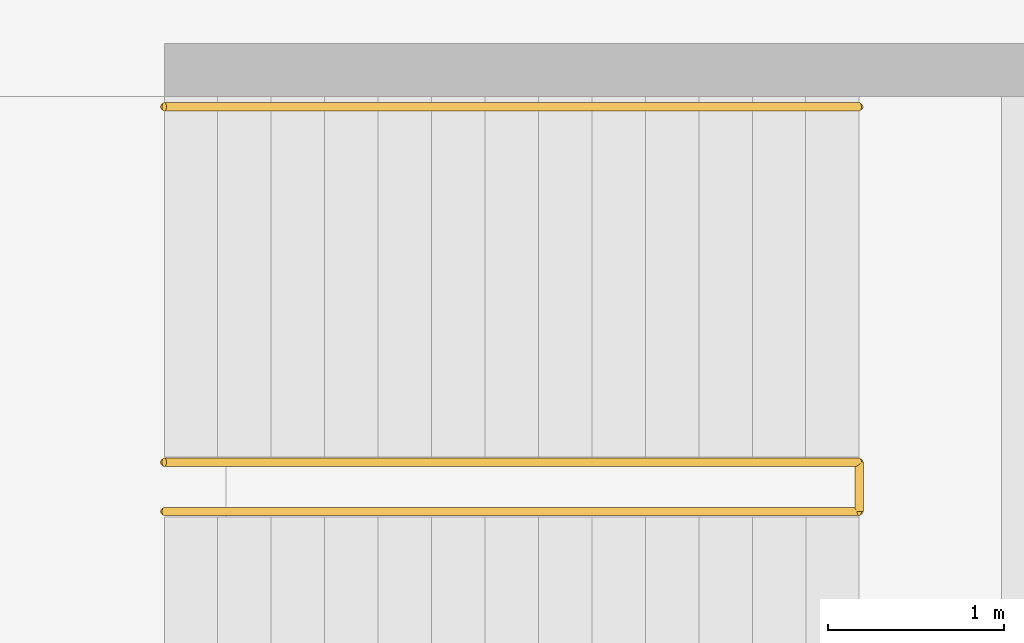
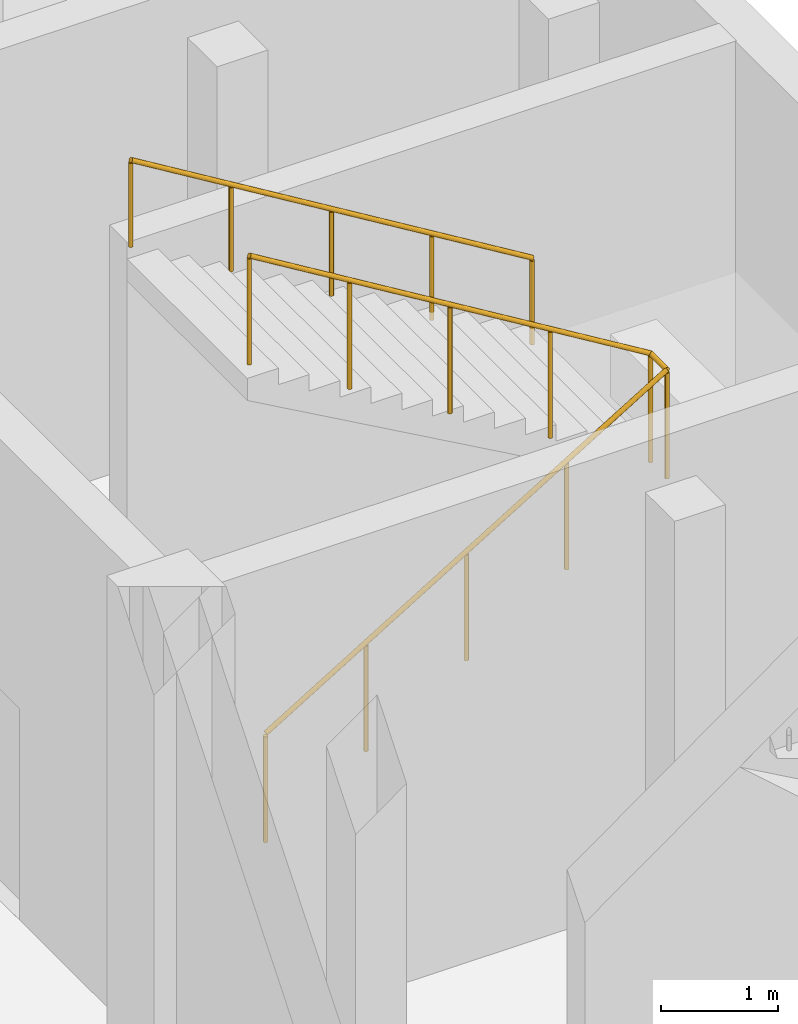
# One storey, part 41 of 42: 2 railings.
"""IFC4 building model written with IfcOpenShell, lengths in metres."""

from ifc_helpers import new_model, si_unit, direction, frame, origin, origin_2d, place, context, subcontext, project, spatial, circle, extrude, material, type_object, element, save


model = new_model("IFC4")

# Units and contexts
model_context = context("Model", 3, precision=1e-05, world=origin(), true_north=direction((0.0, 1.0)))
body_context = subcontext(model_context, "Body", "Model", "MODEL_VIEW")
ifc_project = project(units=[si_unit("LENGTHUNIT", "METRE"), si_unit("AREAUNIT", "SQUARE_METRE"), si_unit("VOLUMEUNIT", "CUBIC_METRE"), si_unit("PLANEANGLEUNIT", "RADIAN"), si_unit("MASSUNIT", "GRAM", prefix="KILO")], contexts=[model_context])

# Site, building, storey
site_placement = place(None, origin())
site = spatial("IfcSite", under=ifc_project, at=site_placement, CompositionType="ELEMENT")
building_placement = place(site_placement, origin())
building = spatial("IfcBuilding", under=site, at=building_placement, Name="Pellamere Symphony Hall", CompositionType="ELEMENT")
storey_placement = place(building_placement, frame((0.0, 0.0, -4.800048828125)))
storey = spatial("IfcBuildingStorey", under=building, at=storey_placement, Name="B1", CompositionType="ELEMENT", Elevation=-4.800048828125)

# Railings
ifc_material_1 = material(Name="Painted Steel CSA G40.21 350W", Category="steel")
railing_type_1 = type_object("IfcRailingType", Name="Guardrail GR-02 H1150 Painted", PredefinedType="GUARDRAIL", material=ifc_material_1)
railing_1_placement = place(storey_placement, frame((166.625, 79.639892578125, 0.0)))
element("IfcRailing", 1, at=railing_1_placement, inside=storey, type_object=railing_type_1, Name="Stair ST14-B1 Continuous Well Guardrail (B1)", PredefinedType="GUARDRAIL", context=body_context, shape_type="SweptSolid", body=[
    extrude(circle(Radius=0.02392578125, at=origin_2d()), frame((0.0, 0.0, 1.1259765625), z_axis=(0.854599162348, 0.0, 0.519288235679), x_axis=(0.0, 1.0, 0.0)), (0.0, 0.0, 1.0), 4.6220703125),
    extrude(circle(Radius=0.02392578125, at=origin_2d()), frame((3.949951171875, 0.0, 3.52587890625), z_axis=(0.0, 1.0, 0.0), x_axis=(-1.0, 0.0, 0.0)), (0.0, 0.0, 1.0), 0.280029296875),
    extrude(circle(Radius=0.02392578125, at=origin_2d()), frame((3.949951171875, 0.280029296875, 3.52587890625), z_axis=(-0.854622603422, 0.0, 0.519249656446), x_axis=(0.0, -1.0, 0.0)), (0.0, 0.0, 1.0), 4.621826171875),
    extrude(circle(Radius=0.02099609375, at=origin_2d()), origin(), (0.0, 0.0, 1.0), 1.101806640625),
    extrude(circle(Radius=0.02099609375, at=origin_2d()), frame((0.987548828125, 0.0, 0.60009765625)), (0.0, 0.0, 1.0), 1.101806640625),
    extrude(circle(Radius=0.02099609375, at=origin_2d()), frame((1.97509765625, 0.0, 1.2001953125)), (0.0, 0.0, 1.0), 1.101806640625),
    extrude(circle(Radius=0.02099609375, at=origin_2d()), frame((2.96240234375, 0.0, 1.800048828125)), (0.0, 0.0, 1.0), 1.101806640625),
    extrude(circle(Radius=0.02099609375, at=origin_2d()), frame((3.949951171875, 0.0, 2.400146484375)), (0.0, 0.0, 1.0), 1.101806640625),
    extrude(circle(Radius=0.02099609375, at=origin_2d()), frame((3.949951171875, 0.280029296875, 2.400146484375)), (0.0, 0.0, 1.0), 1.101806640625),
    extrude(circle(Radius=0.02099609375, at=origin_2d()), frame((2.96240234375, 0.280029296875, 3.0)), (0.0, 0.0, 1.0), 1.101806640625),
    extrude(circle(Radius=0.02099609375, at=origin_2d()), frame((1.97509765625, 0.280029296875, 3.60009765625)), (0.0, 0.0, 1.0), 1.101806640625),
    extrude(circle(Radius=0.02099609375, at=origin_2d()), frame((0.987548828125, 0.280029296875, 4.2001953125)), (0.0, 0.0, 1.0), 1.101806640625),
    extrude(circle(Radius=0.02099609375, at=origin_2d()), frame((0.0, 0.280029296875, 4.800048828125)), (0.0, 0.0, 1.0), 1.101806640625),
])
ifc_material_2 = material(Name="Stainless Steel AISI 316", Category="steel")
railing_type_2 = type_object("IfcRailingType", Name="Handrail HR-01 H920 Stainless", PredefinedType="HANDRAIL", material=ifc_material_2)
railing_2_placement = place(storey_placement, frame((170.574951171875, 81.93994140625, 2.400146484375)))
element("IfcRailing", 2, at=railing_2_placement, inside=storey, type_object=railing_type_2, Name="Stair ST14-B1 Upper Wall Handrail (B1)", PredefinedType="HANDRAIL", context=body_context, shape_type="SweptSolid", body=[
    extrude(circle(Radius=0.02392578125, at=origin_2d()), frame((0.0, 0.0, 0.89599609375), z_axis=(-0.854622603422, 0.0, 0.519249656446), x_axis=(0.0, -1.0, 0.0)), (0.0, 0.0, 1.0), 4.621826171875),
    extrude(circle(Radius=0.02099609375, at=origin_2d()), origin(), (0.0, 0.0, 1.0), 0.871826171875),
    extrude(circle(Radius=0.02099609375, at=origin_2d()), frame((-0.987548828125, 0.0, 0.60009765625)), (0.0, 0.0, 1.0), 0.871826171875),
    extrude(circle(Radius=0.02099609375, at=origin_2d()), frame((-1.97509765625, 0.0, 1.199951171875)), (0.0, 0.0, 1.0), 0.871826171875),
    extrude(circle(Radius=0.02099609375, at=origin_2d()), frame((-2.96240234375, 0.0, 1.7998046875)), (0.0, 0.0, 1.0), 0.871826171875),
    extrude(circle(Radius=0.02099609375, at=origin_2d()), frame((-3.949951171875, 0.0, 2.39990234375)), (0.0, 0.0, 1.0), 0.871826171875),
])

save(model, "model.ifc")
